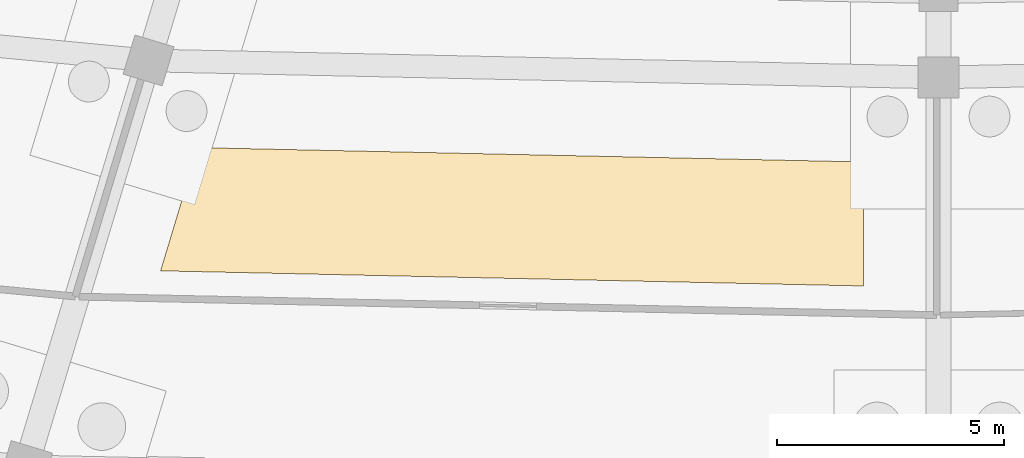
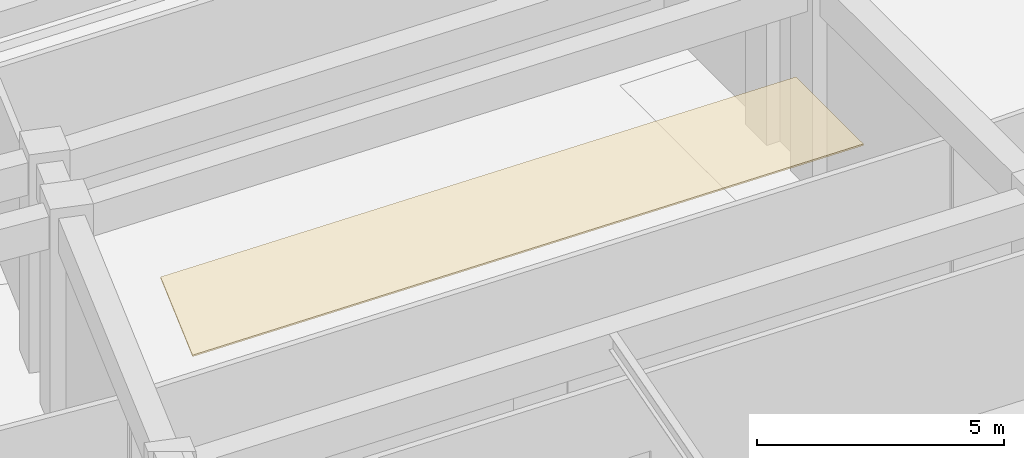
# One storey, part 71 of 88: 1 covering.
"""IFC4 building model written with IfcOpenShell, lengths in metres."""

from ifc_helpers import new_model, si_unit, direction, frame, origin, place, context, subcontext, project, spatial, polyline, outline, extrude, material, layer, layer_set, type_object, element, save


model = new_model("IFC4")

# Units and contexts
model_context = context("Model", 3, precision=1e-05, world=origin(), true_north=direction((0.0, 1.0)))
body_context = subcontext(model_context, "Body", "Model", "MODEL_VIEW")
ifc_project = project(units=[si_unit("LENGTHUNIT", "METRE"), si_unit("AREAUNIT", "SQUARE_METRE"), si_unit("VOLUMEUNIT", "CUBIC_METRE"), si_unit("PLANEANGLEUNIT", "RADIAN"), si_unit("MASSUNIT", "GRAM", prefix="KILO")], contexts=[model_context])

# Site, building, storey
site_placement = place(None, origin())
site = spatial("IfcSite", under=ifc_project, at=site_placement, CompositionType="ELEMENT")
building_placement = place(site_placement, origin())
building = spatial("IfcBuilding", under=site, at=building_placement, Name="Mphavela Belvedere Stadium", CompositionType="ELEMENT")
storey_placement = place(building_placement, origin())
storey = spatial("IfcBuildingStorey", under=building, at=storey_placement, Name="L00", CompositionType="ELEMENT", Elevation=0.0)

# Covering
ifc_material = material(Name="Perforated acoustic mineral ceiling tile")
ifc_layer = layer(ifc_material, 0.0400390625)
ifc_layer_set = layer_set([ifc_layer], Name="Perforated acoustic mineral ceiling tile")
covering_type = type_object("IfcCoveringType", Name="COV-CEILING-ACOUSTIC", PredefinedType="CEILING", material=ifc_layer_set)
covering_placement = place(storey_placement, frame((0.0, 0.0, 4.10009765625)))
element("IfcCovering", 1, at=covering_placement, inside=storey, type_object=covering_type, Name="Concourse acoustic ceiling L00-36", PredefinedType="CEILING", context=body_context, shape_type="SweptSolid", body=[
    extrude(outline(polyline([(98.665771484375, 27.42041015625), (113.343994140625, 27.1044921875), (113.343994140625, 24.368896484375), (97.844482421875, 24.70263671875), (98.665771484375, 27.42041015625)])), origin(), (0.0, 0.0, 1.0), 0.039794921875),
])

save(model, "model.ifc")
